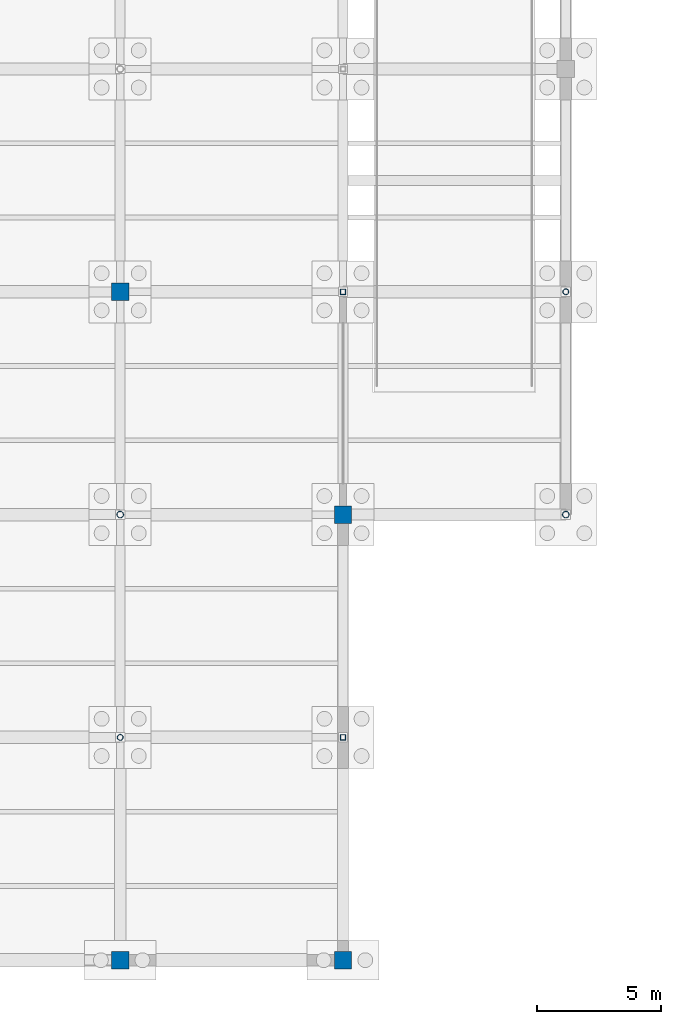
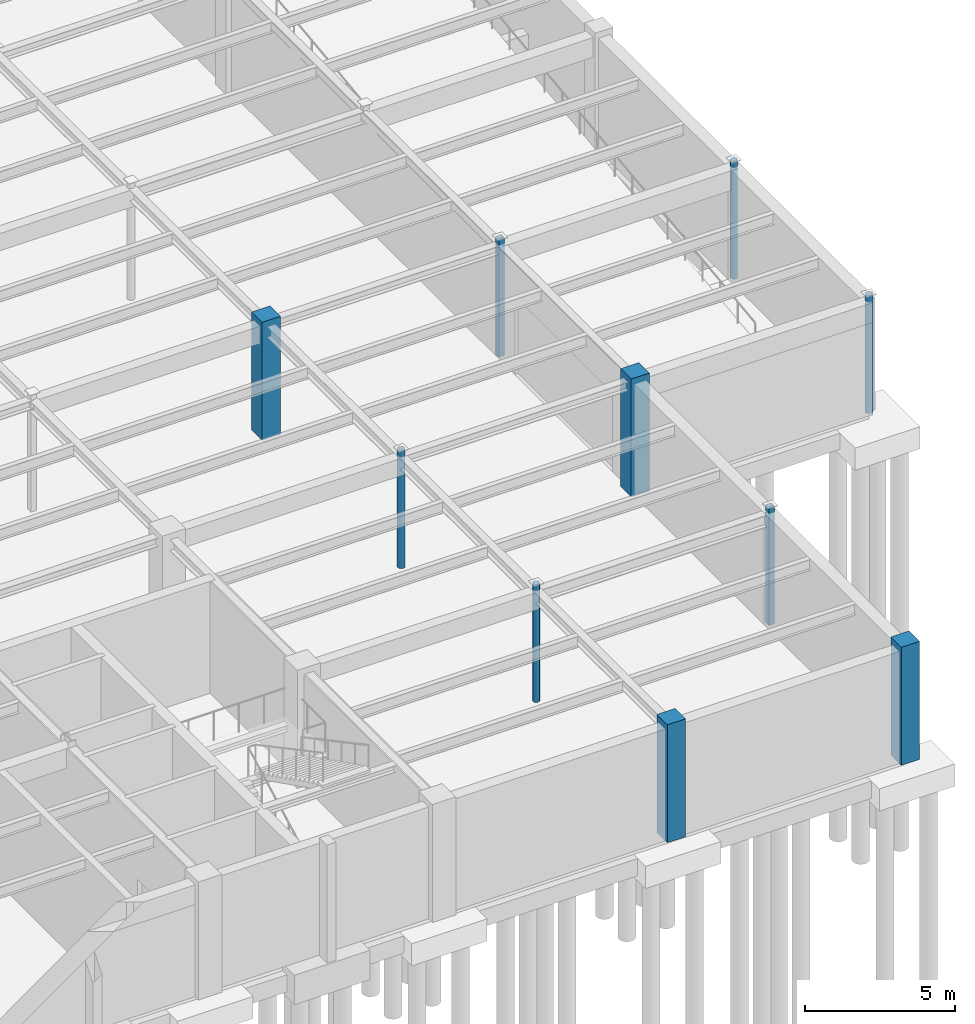
# One storey, part 28 of 49: 10 columns.
"""IFC4 building model written with IfcOpenShell, lengths in metres."""

from ifc_helpers import new_model, si_unit, direction, frame, origin, origin_2d, place, context, subcontext, project, spatial, rectangle, hollow_rectangle, hollow_circle, extrude, material, material_profile, profile_set, type_object, element, save


model = new_model("IFC4")

# Units and contexts
model_context = context("Model", 3, precision=1e-05, world=origin(), true_north=direction((0.0, 1.0)))
body_context = subcontext(model_context, "Body", "Model", "MODEL_VIEW")
ifc_project = project(units=[si_unit("LENGTHUNIT", "METRE"), si_unit("AREAUNIT", "SQUARE_METRE"), si_unit("VOLUMEUNIT", "CUBIC_METRE"), si_unit("PLANEANGLEUNIT", "RADIAN"), si_unit("MASSUNIT", "GRAM", prefix="KILO")], contexts=[model_context])

# Site, building, storey
site_placement = place(None, origin())
site = spatial("IfcSite", under=ifc_project, at=site_placement, CompositionType="ELEMENT")
building_placement = place(site_placement, origin())
building = spatial("IfcBuilding", under=site, at=building_placement, Name="Lykobir Media Centre", CompositionType="ELEMENT")
storey_placement = place(building_placement, frame((0.0, 0.0, -4.800048828125)))
storey = spatial("IfcBuildingStorey", under=building, at=storey_placement, Name="B1", CompositionType="ELEMENT", Elevation=-4.800048828125)

# Columns
ifc_material_1 = material(Name="Concrete C40/50", Category="concrete")
ifc_material_profile_1 = material_profile(ifc_material_1, rectangle(XDim=0.699951171875, YDim=0.699951171875, at=origin_2d()), Name="RC 700x700")
ifc_profile_set_1 = profile_set([ifc_material_profile_1], Name="Concrete C40/50")
column_type_1 = type_object("IfcColumnType", Name="RC-C700", PredefinedType="COLUMN", material=ifc_profile_set_1)
for number, where, z_axis, x_axis, name in (
    (1, (135.0, 27.0, 0.0), (0.0, 0.0, 1.0), (1.0, 0.0, 0.0), "Column COL-B1-1350-0270"),
    (2, (144.0, 18.0, 0.0), (0.0, 0.0, 1.0), (1.0, 0.0, 0.0), "Column COL-B1-1440-0180"),
):
    element("IfcColumn", number, at=place(storey_placement, frame(where, z_axis=z_axis, x_axis=x_axis)), inside=storey, type_object=column_type_1, Name=name, PredefinedType="COLUMN", context=body_context, shape_type="SweptSolid", body=[
        extrude(rectangle(XDim=0.699951171875, YDim=0.699951171875, at=origin_2d()), origin(), (0.0, 0.0, 1.0), 4.800048828125),
    ])
ifc_material_profile_2 = material_profile(ifc_material_1, rectangle(XDim=0.699951171875, YDim=0.699951171875, at=origin_2d()), Name="RC 700x700")
ifc_profile_set_2 = profile_set([ifc_material_profile_2], Name="Concrete C40/50")
column_type_2 = type_object("IfcColumnType", Name="RC-C700-E", PredefinedType="COLUMN", material=ifc_profile_set_2)
for number, where, z_axis, x_axis, name in (
    (3, (135.0, 0.0, 0.0), (0.0, 0.0, 1.0), (1.0, 0.0, 0.0), "Column COL-B1-1350-0000"),
    (4, (144.0, 0.0, 0.0), (0.0, 0.0, 1.0), (1.0, 0.0, 0.0), "Column COL-B1-1440-0000"),
):
    element("IfcColumn", number, at=place(storey_placement, frame(where, z_axis=z_axis, x_axis=x_axis)), inside=storey, type_object=column_type_2, Name=name, PredefinedType="COLUMN", context=body_context, shape_type="SweptSolid", body=[
        extrude(rectangle(XDim=0.699951171875, YDim=0.699951171875, at=origin_2d()), origin(), (0.0, 0.0, 1.0), 4.800048828125),
    ])
ifc_material_2 = material(Name="Steel S355", Category="steel")
ifc_material_profile_3 = material_profile(ifc_material_2, hollow_circle(Radius=0.122314453125, WallThickness=0.012451171875, at=origin_2d()), Name="CHS 244.5x12.5")
ifc_profile_set_3 = profile_set([ifc_material_profile_3], Name="Steel S355")
column_type_3 = type_object("IfcColumnType", Name="SC-CHS244", PredefinedType="COLUMN", material=ifc_profile_set_3)
for number, where, z_axis, x_axis, name in (
    (5, (135.0, 9.0, 0.0), (0.0, 0.0, 1.0), (1.0, 0.0, 0.0), "Column COL-B1-1350-0090"),
    (6, (153.0, 27.0, 0.0), (0.0, 0.0, 1.0), (1.0, 0.0, 0.0), "Column COL-B1-1530-0270"),
):
    element("IfcColumn", number, at=place(storey_placement, frame(where, z_axis=z_axis, x_axis=x_axis)), inside=storey, type_object=column_type_3, Name=name, PredefinedType="COLUMN", context=body_context, shape_type="SweptSolid", body=[
        extrude(hollow_circle(Radius=0.122314453125, WallThickness=0.012451171875, at=origin_2d()), origin(), (0.0, 0.0, 1.0), 4.800048828125),
    ])
ifc_material_profile_4 = material_profile(ifc_material_2, hollow_circle(Radius=0.136474609375, WallThickness=0.012451171875, at=origin_2d()), Name="CHS 273.0x12.5")
ifc_profile_set_4 = profile_set([ifc_material_profile_4], Name="Steel S355")
column_type_4 = type_object("IfcColumnType", Name="SC-CHS273", PredefinedType="COLUMN", material=ifc_profile_set_4)
for number, where, z_axis, x_axis, name in (
    (7, (135.0, 18.0, 0.0), (0.0, 0.0, 1.0), (1.0, 0.0, 0.0), "Column COL-B1-1350-0180"),
    (8, (153.0, 18.0, 0.0), (0.0, 0.0, 1.0), (1.0, 0.0, 0.0), "Column COL-B1-1530-0180"),
):
    element("IfcColumn", number, at=place(storey_placement, frame(where, z_axis=z_axis, x_axis=x_axis)), inside=storey, type_object=column_type_4, Name=name, PredefinedType="COLUMN", context=body_context, shape_type="SweptSolid", body=[
        extrude(hollow_circle(Radius=0.136474609375, WallThickness=0.012451171875, at=origin_2d()), origin(), (0.0, 0.0, 1.0), 4.800048828125),
    ])
ifc_material_profile_5 = material_profile(ifc_material_2, hollow_rectangle(XDim=0.219970703125, YDim=0.219970703125, WallThickness=0.012451171875, at=origin_2d()), Name="SHS 220x220x12.5")
ifc_profile_set_5 = profile_set([ifc_material_profile_5], Name="Steel S355")
column_type_5 = type_object("IfcColumnType", Name="SC-SHS220", PredefinedType="COLUMN", material=ifc_profile_set_5)
for number, where, z_axis, x_axis, name in (
    (9, (144.0, 9.0, 0.0), (0.0, 0.0, 1.0), (1.0, 0.0, 0.0), "Column COL-B1-1440-0090"),
    (10, (144.0, 27.0, 0.0), (0.0, 0.0, 1.0), (1.0, 0.0, 0.0), "Column COL-B1-1440-0270"),
):
    element("IfcColumn", number, at=place(storey_placement, frame(where, z_axis=z_axis, x_axis=x_axis)), inside=storey, type_object=column_type_5, Name=name, PredefinedType="COLUMN", context=body_context, shape_type="SweptSolid", body=[
        extrude(hollow_rectangle(XDim=0.219970703125, YDim=0.219970703125, WallThickness=0.012451171875, at=origin_2d()), origin(), (0.0, 0.0, 1.0), 4.800048828125),
    ])

save(model, "model.ifc")
